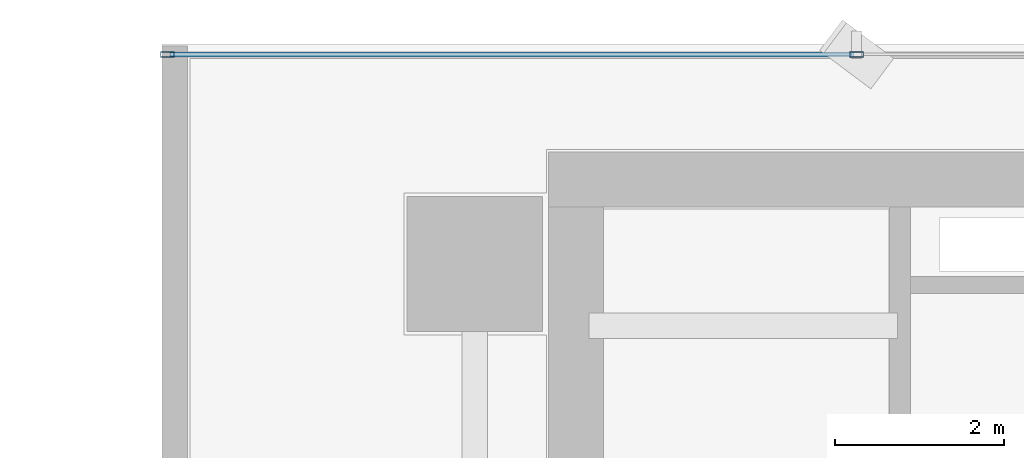
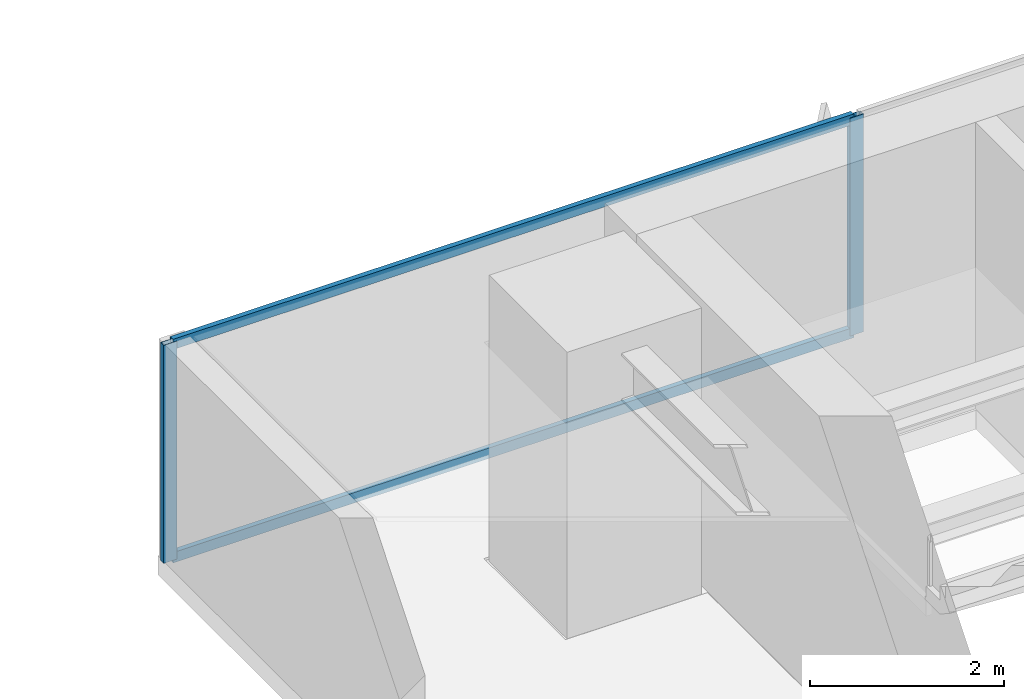
# One storey, part 20 of 37: 4 members, 1 element without a shape of its own.
"""IFC4 building model written with IfcOpenShell, lengths in metres."""

from ifc_helpers import new_model, si_unit, direction, frame, origin, origin_2d, place, context, subcontext, project, spatial, hollow_rectangle, extrude, source, transform, mapped, material, layer, layer_set, material_profile, profile_set, type_object, element, aggregate, save


model = new_model("IFC4")

# Units and contexts
model_context = context("Model", 3, precision=1e-05, world=origin(), true_north=direction((0.0, 1.0)))
body_context = subcontext(model_context, "Body", "Model", "MODEL_VIEW")
ifc_project = project(units=[si_unit("LENGTHUNIT", "METRE"), si_unit("AREAUNIT", "SQUARE_METRE"), si_unit("VOLUMEUNIT", "CUBIC_METRE"), si_unit("PLANEANGLEUNIT", "RADIAN"), si_unit("MASSUNIT", "GRAM", prefix="KILO")], contexts=[model_context])

# Site, building, storey
site_placement = place(None, origin())
site = spatial("IfcSite", under=ifc_project, at=site_placement, CompositionType="ELEMENT")
building_placement = place(site_placement, origin())
building = spatial("IfcBuilding", under=site, at=building_placement, Name="Sumidabori Civic Tower", CompositionType="ELEMENT")
storey_placement = place(building_placement, frame((0.0, 0.0, 110.0)))
storey = spatial("IfcBuildingStorey", under=building, at=storey_placement, Name="L28", CompositionType="ELEMENT", Elevation=110.0)

# Curtain wall, members
ifc_material = material(Name="Anodised Bronze Aluminium AW-6063-T6", Category="aluminium")
ifc_layer = layer(ifc_material, 0.179931640625, Name="Anodised Bronze Aluminium AW-6063-T6")
ifc_layer_set = layer_set([ifc_layer], Name="Anodised Bronze Aluminium AW-6063-T6")
curtain_wall_type = type_object("IfcCurtainWallType", Name="CW-SYS-3", PredefinedType="NOTDEFINED", material=ifc_layer_set)
curtain_wall_placement = place(storey_placement, origin())
curtain_wall = element("IfcCurtainWall", 1, at=curtain_wall_placement, inside=storey, type_object=curtain_wall_type, Name="Curtain Wall CW:L28:R07", PredefinedType="NOTDEFINED")
ifc_material_profile_1 = material_profile(ifc_material, hollow_rectangle(XDim=0.06494140625, YDim=0.159912109375, WallThickness=0.0048828125, at=origin_2d()), Name="ALU MULLION 160x65")
ifc_profile_set_1 = profile_set([ifc_material_profile_1], Name="Anodised Bronze Aluminium AW-6063-T6")
member_type_1 = type_object("IfcMemberType", Name="CW-MUL-160", PredefinedType="MULLION", material=ifc_profile_set_1)
shared_shape_1 = source(origin(), body_context, "Body", "SweptSolid", [
    extrude(hollow_rectangle(XDim=0.06494140625, YDim=0.159912109375, WallThickness=0.0048828125, at=origin_2d()), origin(), (0.0, 0.0, 1.0), 2.739990234375),
])
member_1_placement = place(storey_placement, frame((-12.281982421875, 25.280029296875, 0.0), z_axis=(0.0, 0.0, 1.0), x_axis=(0.0, -1.0, 0.0)))
member_1 = element("IfcMember", 2, at=member_1_placement, type_object=member_type_1, Name="CW-3 mullion 5", PredefinedType="MULLION", context=body_context, shape_type="MappedRepresentation", body=[
    mapped(shared_shape_1, transform((0.0, 0.0, 0.0), x_axis=(1.0, 0.0, 0.0), y_axis=(0.0, 1.0, 0.0), z_axis=(0.0, 0.0, 1.0), scale=1.0)),
])
member_2_placement = place(storey_placement, frame((-20.4375, 25.280029296875, 0.0), z_axis=(0.0, 0.0, 1.0), x_axis=(0.0, -1.0, 0.0)))
member_2 = element("IfcMember", 3, at=member_2_placement, type_object=member_type_1, Name="CW-3 mullion 6", PredefinedType="MULLION", context=body_context, shape_type="MappedRepresentation", body=[
    mapped(shared_shape_1, transform((0.0, 0.0, 0.0), x_axis=(1.0, 0.0, 0.0), y_axis=(0.0, 1.0, 0.0), z_axis=(0.0, 0.0, 1.0), scale=1.0)),
])
ifc_material_profile_2 = material_profile(ifc_material, hollow_rectangle(XDim=0.06005859375, YDim=0.1298828125, WallThickness=0.0048828125, at=origin_2d()), Name="ALU TRANSOM 130x60")
ifc_profile_set_2 = profile_set([ifc_material_profile_2], Name="Anodised Bronze Aluminium AW-6063-T6")
member_type_2 = type_object("IfcMemberType", Name="CW-TRN-130", PredefinedType="USERDEFINED", material=ifc_profile_set_2)
shared_shape_2 = source(origin(), body_context, "Body", "SweptSolid", [
    extrude(hollow_rectangle(XDim=0.06005859375, YDim=0.1298828125, WallThickness=0.0048828125, at=origin_2d()), origin(), (0.0, 0.0, 1.0), 8.090576171875),
])
member_3_placement = place(storey_placement, frame((-12.314453125, 25.280029296875, 0.030029296875), z_axis=(-1.0, 0.0, 0.0), x_axis=(0.0, -1.0, 0.0)))
member_3 = element("IfcMember", 4, at=member_3_placement, type_object=member_type_2, Name="CW-3 transom 5.1", ObjectType="TRANSOM", PredefinedType="USERDEFINED", context=body_context, shape_type="MappedRepresentation", body=[
    mapped(shared_shape_2, transform((0.0, 0.0, 0.0), x_axis=(1.0, 0.0, 0.0), y_axis=(0.0, 1.0, 0.0), z_axis=(0.0, 0.0, 1.0), scale=1.0)),
])
member_4_placement = place(storey_placement, frame((-12.314453125, 25.280029296875, 2.7099609375), z_axis=(-1.0, 0.0, 0.0), x_axis=(0.0, -1.0, 0.0)))
member_4 = element("IfcMember", 5, at=member_4_placement, type_object=member_type_2, Name="CW-3 transom 5.2", ObjectType="TRANSOM", PredefinedType="USERDEFINED", context=body_context, shape_type="MappedRepresentation", body=[
    mapped(shared_shape_2, transform((0.0, 0.0, 0.0), x_axis=(1.0, 0.0, 0.0), y_axis=(0.0, 1.0, 0.0), z_axis=(0.0, 0.0, 1.0), scale=1.0)),
])
aggregate(curtain_wall, [member_1, member_2, member_3, member_4])

save(model, "model.ifc")
